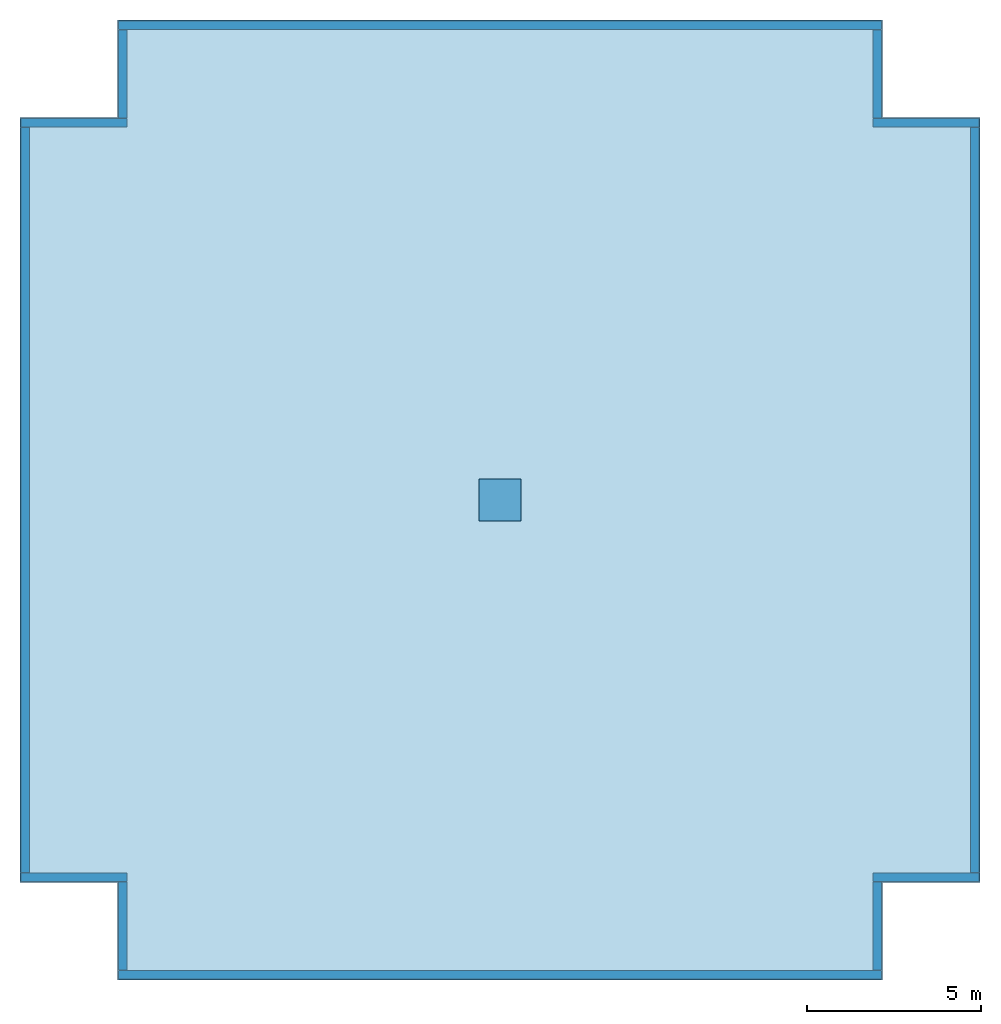
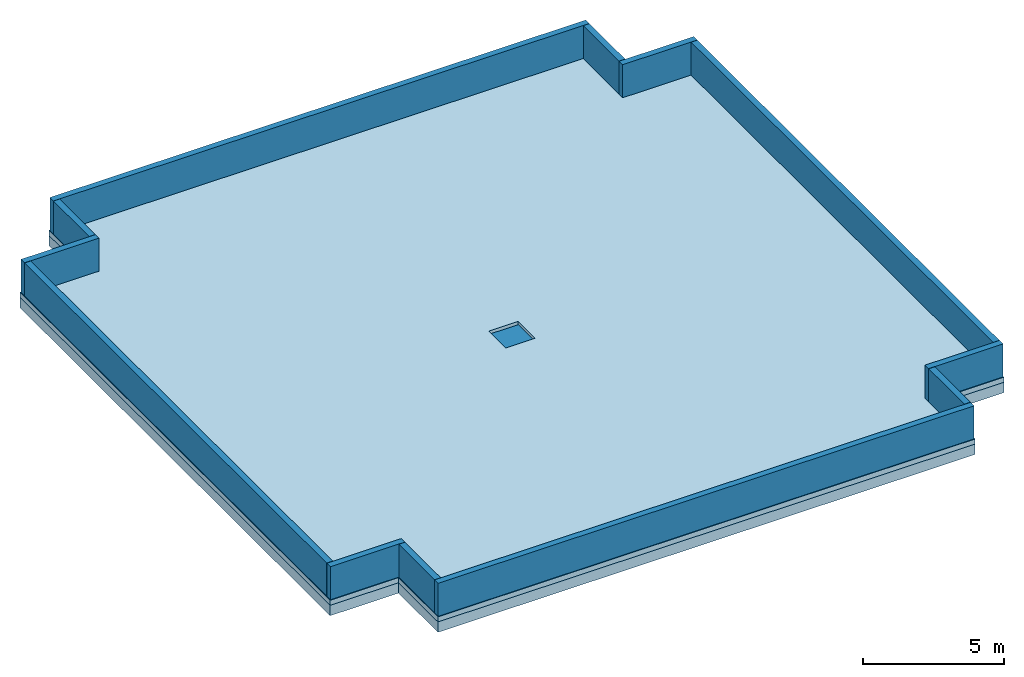
# One storey: 12 walls, 1 discrete accessory, 1 roof, 1 slab.
"""IFC4 building model written with IfcOpenShell, lengths in metres."""

from ifc_helpers import new_model, si_unit, direction, frame, frame_2d, origin, origin_with_axes, origin_2d, place, context, subcontext, project, spatial, polyline, rectangle, outline, extrude, material, layer, layer_set, type_object, element, save


model = new_model("IFC4")

# Units and contexts
model_context = context("Model", 3, precision=1e-05, world=origin(), true_north=direction((0.0, 1.0)))
body_context = subcontext(model_context, "Body", "Model", "MODEL_VIEW")
ifc_project = project(units=[si_unit("LENGTHUNIT", "METRE"), si_unit("AREAUNIT", "SQUARE_METRE"), si_unit("VOLUMEUNIT", "CUBIC_METRE"), si_unit("PLANEANGLEUNIT", "RADIAN"), si_unit("MASSUNIT", "GRAM", prefix="KILO")], contexts=[model_context])

# Site, building, storey
site_placement = place(None, origin())
site = spatial("IfcSite", under=ifc_project, at=site_placement, CompositionType="ELEMENT")
building_placement = place(site_placement, origin())
building = spatial("IfcBuilding", under=site, at=building_placement, Name="Zulmaris Gate Convention Tower", CompositionType="ELEMENT")
storey_placement = place(building_placement, frame((0.0, 0.0, 297.10009765625)))
storey = spatial("IfcBuildingStorey", under=building, at=storey_placement, Name="L80", CompositionType="ELEMENT", Elevation=297.10009765625)

# Slab
ifc_material_1 = material(Name="Concrete C50/60", Category="concrete")
ifc_layer_1 = layer(ifc_material_1, 0.449951171875, Name="Concrete C50/60")
ifc_layer_set_1 = layer_set([ifc_layer_1], Name="Concrete C50/60")
slab_type_1 = type_object("IfcSlabType", Name="SL-ROOF-450", PredefinedType="ROOF", material=ifc_layer_set_1)
slab_placement = place(storey_placement, frame((0.0, 0.0, -0.449951171875)))
element("IfcSlab", 1, at=slab_placement, inside=storey, type_object=slab_type_1, Name="L80 Stepped Crown Main Roof Slab", PredefinedType="ROOF", context=body_context, shape_type="SweptSolid", body=[
    extrude(outline(polyline([(-11.0, -13.800048828125), (11.0, -13.800048828125), (11.0, -11.0), (13.800048828125, -11.0), (13.800048828125, 11.0), (11.0, 11.0), (11.0, 13.800048828125), (-11.0, 13.800048828125), (-11.0, 11.0), (-13.800048828125, 11.0), (-13.800048828125, -11.0), (-11.0, -11.0), (-11.0, -13.800048828125)]), holes=[polyline([(-0.60009765625, -0.60009765625), (0.60009765625, -0.60009765625), (0.60009765625, 0.60009765625), (-0.60009765625, 0.60009765625), (-0.60009765625, -0.60009765625)])]), origin(), (0.0, 0.0, 1.0), 0.449951171875),
])

# Walls
ifc_material_2 = material(Name="Precast concrete C40/50", Category="concrete")
ifc_layer_2 = layer(ifc_material_2, 0.25, Name="Precast concrete C40/50")
ifc_layer_set_2 = layer_set([ifc_layer_2], Name="Precast concrete C40/50")
wall_type = type_object("IfcWallType", Name="PRECAST-PARAPET-250", PredefinedType="PARAPET", material=ifc_layer_set_2)
wall_1_placement = place(storey_placement, frame((-10.97509765625, -13.64990234375, 0.219970703125), z_axis=(0.0, 0.0, 1.0), x_axis=(1.0, 0.0, 0.0)))
element("IfcWall", 2, at=wall_1_placement, inside=storey, type_object=wall_type, Name="PRP-L80-S", PredefinedType="PARAPET", context=body_context, shape_type="SweptSolid", body=[
    extrude(rectangle(XDim=21.9501953125, YDim=0.25, at=frame_2d((10.97509765625, 0.0))), origin(), (0.0, 0.0, 1.0), 1.429931640625),
])
wall_2_placement = place(storey_placement, frame((10.85009765625, -13.514892578125, 0.219970703125), z_axis=(0.0, 0.0, 1.0), x_axis=(0.0, 1.0, 0.0)))
element("IfcWall", 3, at=wall_2_placement, inside=storey, type_object=wall_type, Name="PRP-L80-SE1", PredefinedType="PARAPET", context=body_context, shape_type="SweptSolid", body=[
    extrude(rectangle(XDim=2.52978515625, YDim=0.25, at=frame_2d((1.264892578125, 0.0))), origin(), (0.0, 0.0, 1.0), 1.429931640625),
])
wall_3_placement = place(storey_placement, frame((10.72509765625, -10.85009765625, 0.219970703125), z_axis=(0.0, 0.0, 1.0), x_axis=(1.0, 0.0, 0.0)))
element("IfcWall", 4, at=wall_3_placement, inside=storey, type_object=wall_type, Name="PRP-L80-SE2", PredefinedType="PARAPET", context=body_context, shape_type="SweptSolid", body=[
    extrude(rectangle(XDim=3.0498046875, YDim=0.25, at=frame_2d((1.52490234375, 0.0))), origin(), (0.0, 0.0, 1.0), 1.429931640625),
])
wall_4_placement = place(storey_placement, frame((13.64990234375, -10.715087890625, 0.219970703125), z_axis=(0.0, 0.0, 1.0), x_axis=(0.0, 1.0, 0.0)))
element("IfcWall", 5, at=wall_4_placement, inside=storey, type_object=wall_type, Name="PRP-L80-E", PredefinedType="PARAPET", context=body_context, shape_type="SweptSolid", body=[
    extrude(rectangle(XDim=21.43017578125, YDim=0.25, at=frame_2d((10.715087890625, 0.0))), origin(), (0.0, 0.0, 1.0), 1.429931640625),
])
wall_5_placement = place(storey_placement, frame((13.77490234375, 10.85009765625, 0.219970703125), z_axis=(0.0, 0.0, 1.0), x_axis=(-1.0, 0.0, 0.0)))
element("IfcWall", 6, at=wall_5_placement, inside=storey, type_object=wall_type, Name="PRP-L80-NE1", PredefinedType="PARAPET", context=body_context, shape_type="SweptSolid", body=[
    extrude(rectangle(XDim=3.0498046875, YDim=0.25, at=frame_2d((1.52490234375, 0.0))), origin(), (0.0, 0.0, 1.0), 1.429931640625),
])
wall_6_placement = place(storey_placement, frame((10.85009765625, 10.985107421875, 0.219970703125), z_axis=(0.0, 0.0, 1.0), x_axis=(0.0, 1.0, 0.0)))
element("IfcWall", 7, at=wall_6_placement, inside=storey, type_object=wall_type, Name="PRP-L80-NE2", PredefinedType="PARAPET", context=body_context, shape_type="SweptSolid", body=[
    extrude(rectangle(XDim=2.52978515625, YDim=0.25, at=frame_2d((1.264892578125, 0.0))), origin(), (0.0, 0.0, 1.0), 1.429931640625),
])
wall_7_placement = place(storey_placement, frame((10.97509765625, 13.64990234375, 0.219970703125), z_axis=(0.0, 0.0, 1.0), x_axis=(-1.0, 0.0, 0.0)))
element("IfcWall", 8, at=wall_7_placement, inside=storey, type_object=wall_type, Name="PRP-L80-N", PredefinedType="PARAPET", context=body_context, shape_type="SweptSolid", body=[
    extrude(rectangle(XDim=21.9501953125, YDim=0.25, at=frame_2d((10.97509765625, 0.0))), origin(), (0.0, 0.0, 1.0), 1.429931640625),
])
wall_8_placement = place(storey_placement, frame((-10.85009765625, 13.514892578125, 0.219970703125), z_axis=(0.0, 0.0, 1.0), x_axis=(0.0, -1.0, 0.0)))
element("IfcWall", 9, at=wall_8_placement, inside=storey, type_object=wall_type, Name="PRP-L80-NW1", PredefinedType="PARAPET", context=body_context, shape_type="SweptSolid", body=[
    extrude(rectangle(XDim=2.52978515625, YDim=0.25, at=frame_2d((1.264892578125, 0.0))), origin(), (0.0, 0.0, 1.0), 1.429931640625),
])
wall_9_placement = place(storey_placement, frame((-10.72509765625, 10.85009765625, 0.219970703125), z_axis=(0.0, 0.0, 1.0), x_axis=(-1.0, 0.0, 0.0)))
element("IfcWall", 10, at=wall_9_placement, inside=storey, type_object=wall_type, Name="PRP-L80-NW2", PredefinedType="PARAPET", context=body_context, shape_type="SweptSolid", body=[
    extrude(rectangle(XDim=3.0498046875, YDim=0.25, at=frame_2d((1.52490234375, 0.0))), origin(), (0.0, 0.0, 1.0), 1.429931640625),
])
wall_10_placement = place(storey_placement, frame((-13.64990234375, 10.715087890625, 0.219970703125), z_axis=(0.0, 0.0, 1.0), x_axis=(0.0, -1.0, 0.0)))
element("IfcWall", 11, at=wall_10_placement, inside=storey, type_object=wall_type, Name="PRP-L80-W", PredefinedType="PARAPET", context=body_context, shape_type="SweptSolid", body=[
    extrude(rectangle(XDim=21.43017578125, YDim=0.25, at=frame_2d((10.715087890625, 0.0))), origin(), (0.0, 0.0, 1.0), 1.429931640625),
])
wall_11_placement = place(storey_placement, frame((-13.77490234375, -10.85009765625, 0.219970703125), z_axis=(0.0, 0.0, 1.0), x_axis=(1.0, 0.0, 0.0)))
element("IfcWall", 12, at=wall_11_placement, inside=storey, type_object=wall_type, Name="PRP-L80-SW1", PredefinedType="PARAPET", context=body_context, shape_type="SweptSolid", body=[
    extrude(rectangle(XDim=3.0498046875, YDim=0.25, at=frame_2d((1.52490234375, 0.0))), origin(), (0.0, 0.0, 1.0), 1.429931640625),
])
wall_12_placement = place(storey_placement, frame((-10.85009765625, -10.985107421875, 0.219970703125), z_axis=(0.0, 0.0, 1.0), x_axis=(0.0, -1.0, 0.0)))
element("IfcWall", 13, at=wall_12_placement, inside=storey, type_object=wall_type, Name="PRP-L80-SW2", PredefinedType="PARAPET", context=body_context, shape_type="SweptSolid", body=[
    extrude(rectangle(XDim=2.52978515625, YDim=0.25, at=frame_2d((1.264892578125, 0.0))), origin(), (0.0, 0.0, 1.0), 1.429931640625),
])

# Roof
ifc_material_3 = material(Name="Concrete C40/50", Category="concrete")
ifc_layer_3 = layer(ifc_material_3, 0.219970703125, Name="Concrete C40/50")
ifc_layer_set_3 = layer_set([ifc_layer_3], Name="Concrete C40/50")
slab_type_2 = type_object("IfcSlabType", Name="RF-MEMBRANE-220", PredefinedType="ROOF", material=ifc_layer_set_3)
roof_placement = place(storey_placement, origin())
element("IfcRoof", 14, at=roof_placement, inside=storey, type_object=slab_type_2, Name="RF-L80-MAIN", PredefinedType="FLAT_ROOF", context=body_context, shape_type="SweptSolid", body=[
    extrude(outline(polyline([(-11.0, -13.800048828125), (11.0, -13.800048828125), (11.0, -11.0), (13.800048828125, -11.0), (13.800048828125, 11.0), (11.0, 11.0), (11.0, 13.800048828125), (-11.0, 13.800048828125), (-11.0, 11.0), (-13.800048828125, 11.0), (-13.800048828125, -11.0), (-11.0, -11.0), (-11.0, -13.800048828125)]), holes=[polyline([(-0.60009765625, -0.60009765625), (0.60009765625, -0.60009765625), (0.60009765625, 0.60009765625), (-0.60009765625, 0.60009765625), (-0.60009765625, -0.60009765625)])]), origin(), (0.0, 0.0, 1.0), 0.219970703125),
])

# Discrete accessory
ifc_material_4 = material(Name="Insulated Aluminium Roof Hatch", Category="aluminium")
ifc_layer_4 = layer(ifc_material_4, 0.080078125, Name="Insulated Aluminium Roof Hatch")
ifc_layer_set_4 = layer_set([ifc_layer_4], Name="Insulated Aluminium Roof Hatch")
discrete_accessory_type = type_object("IfcDiscreteAccessoryType", Name="DA-HATCH-1200", PredefinedType="USERDEFINED", material=ifc_layer_set_4)
discrete_accessory_placement = place(storey_placement, origin_with_axes())
element("IfcDiscreteAccessory", 15, at=discrete_accessory_placement, inside=storey, type_object=discrete_accessory_type, Name="L80 Roof Maintenance Access Hatch", ObjectType="ROOF HATCH", PredefinedType="USERDEFINED", context=body_context, shape_type="SweptSolid", body=[
    extrude(rectangle(XDim=1.199951171875, YDim=1.199951171875, at=origin_2d()), origin(), (0.0, 0.0, 1.0), 0.080078125),
])

save(model, "model.ifc")
